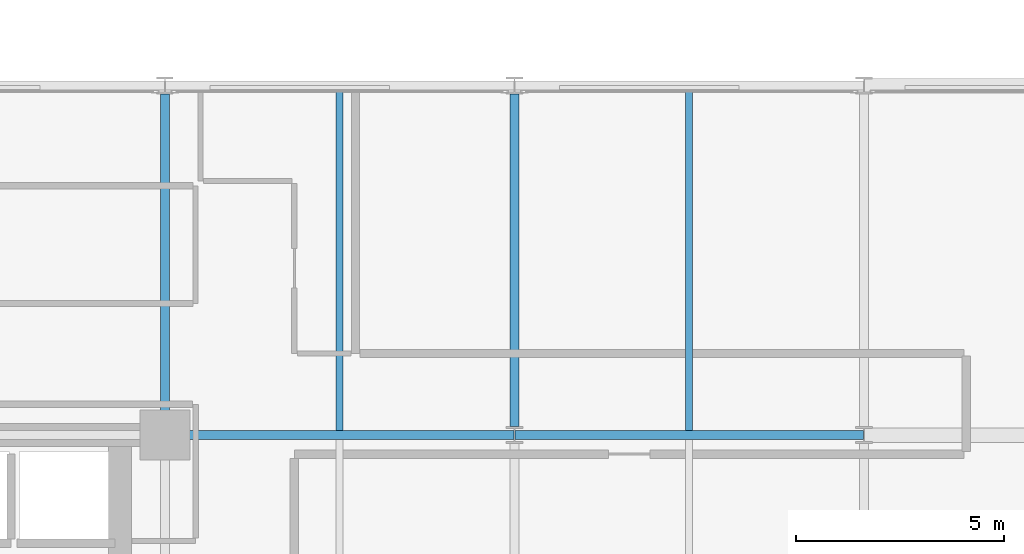
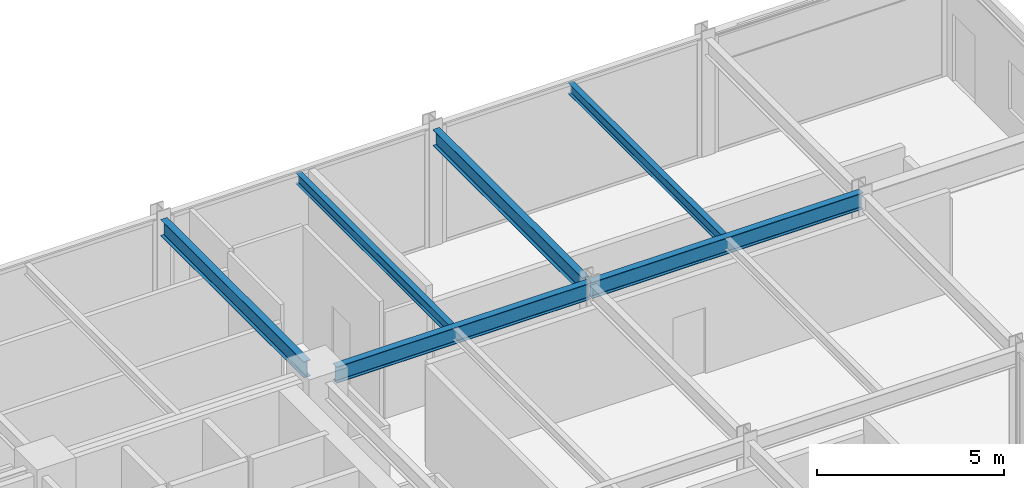
# One storey, part 19 of 38: 6 beams.
"""IFC4 building model written with IfcOpenShell, lengths in metres."""

from ifc_helpers import new_model, si_unit, direction, frame, origin, origin_2d, place, context, subcontext, project, spatial, i_section, extrude, material, material_profile, profile_set, type_object, element, save


model = new_model("IFC4")

# Units and contexts
model_context = context("Model", 3, precision=1e-05, world=origin(), true_north=direction((0.0, 1.0)))
body_context = subcontext(model_context, "Body", "Model", "MODEL_VIEW")
ifc_project = project(units=[si_unit("LENGTHUNIT", "METRE"), si_unit("AREAUNIT", "SQUARE_METRE"), si_unit("VOLUMEUNIT", "CUBIC_METRE"), si_unit("PLANEANGLEUNIT", "RADIAN"), si_unit("MASSUNIT", "GRAM", prefix="KILO")], contexts=[model_context])

# Site, building, storey
site_placement = place(None, origin())
site = spatial("IfcSite", under=ifc_project, at=site_placement, CompositionType="ELEMENT")
building_placement = place(site_placement, origin())
building = spatial("IfcBuilding", under=site, at=building_placement, Name="Nerrivon Quay Data Exchange", CompositionType="ELEMENT")
storey_placement = place(building_placement, frame((0.0, 0.0, 88.5)))
storey = spatial("IfcBuildingStorey", under=building, at=storey_placement, Name="L20", CompositionType="ELEMENT", Elevation=88.5)

# Beams
ifc_material = material(Name="Steel Grade 350", Category="steel")
ifc_material_profile_1 = material_profile(ifc_material, i_section(OverallWidth=0.208984375, OverallDepth=0.532958984375, WebThickness=0.01025390625, FlangeThickness=0.015625, FilletRadius=0.013916015625, at=origin_2d()), Name="530UB92.4")
ifc_profile_set_1 = profile_set([ifc_material_profile_1], Name="Steel Grade 350")
beam_type_1 = type_object("IfcBeamType", Name="BM-G3-530UB92", PredefinedType="BEAM", material=ifc_profile_set_1)
beam_1_placement = place(storey_placement, frame((34.139892578125, 16.800048828125, 3.55859375), z_axis=(1.0, 0.0, 0.0), x_axis=(0.0, 1.0, 0.0)))
element("IfcBeam", 1, at=beam_1_placement, inside=storey, type_object=beam_type_1, Name="L20 EW Girder Y=16.8 (33.6..42.0)", PredefinedType="BEAM", context=body_context, shape_type="SweptSolid", body=[
    extrude(i_section(OverallWidth=0.208984375, OverallDepth=0.532958984375, WebThickness=0.01025390625, FlangeThickness=0.015625, FilletRadius=0.013916015625, at=origin_2d()), origin(), (0.0, 0.0, 1.0), 7.84765625),
])
beam_2_placement = place(storey_placement, frame((42.012451171875, 16.800048828125, 3.55859375), z_axis=(1.0, 0.0, 0.0), x_axis=(0.0, 1.0, 0.0)))
element("IfcBeam", 2, at=beam_2_placement, inside=storey, type_object=beam_type_1, Name="L20 EW Girder Y=16.8 (42.0..50.4)", PredefinedType="BEAM", context=body_context, shape_type="SweptSolid", body=[
    extrude(i_section(OverallWidth=0.208984375, OverallDepth=0.532958984375, WebThickness=0.01025390625, FlangeThickness=0.015625, FilletRadius=0.013916015625, at=origin_2d()), origin(), (0.0, 0.0, 1.0), 8.375),
])
ifc_material_profile_2 = material_profile(ifc_material, i_section(OverallWidth=0.208984375, OverallDepth=0.528076171875, WebThickness=0.009521484375, FlangeThickness=0.01318359375, FilletRadius=0.013916015625, at=origin_2d()), Name="530UB82.0")
ifc_profile_set_2 = profile_set([ifc_material_profile_2], Name="Steel Grade 350")
beam_type_2 = type_object("IfcBeamType", Name="BM-G4-530UB82", PredefinedType="BEAM", material=ifc_profile_set_2)
beam_3_placement = place(storey_placement, frame((33.60009765625, 17.340087890625, 3.56103515625), z_axis=(0.0, 1.0, 0.0), x_axis=(-1.0, 0.0, 0.0)))
element("IfcBeam", 3, at=beam_3_placement, inside=storey, type_object=beam_type_2, Name="L20 NS Girder X=33.6 (16.8..25.2)", PredefinedType="BEAM", context=body_context, shape_type="SweptSolid", body=[
    extrude(i_section(OverallWidth=0.208984375, OverallDepth=0.528076171875, WebThickness=0.009521484375, FlangeThickness=0.01318359375, FilletRadius=0.013916015625, at=origin_2d()), origin(), (0.0, 0.0, 1.0), 7.659912109375),
])
beam_4_placement = place(storey_placement, frame((42.0, 17.0, 3.56103515625), z_axis=(0.0, 1.0, 0.0), x_axis=(-1.0, 0.0, 0.0)))
element("IfcBeam", 4, at=beam_4_placement, inside=storey, type_object=beam_type_2, Name="L20 NS Girder X=42.0 (16.8..25.2)", PredefinedType="BEAM", context=body_context, shape_type="SweptSolid", body=[
    extrude(i_section(OverallWidth=0.208984375, OverallDepth=0.528076171875, WebThickness=0.009521484375, FlangeThickness=0.01318359375, FilletRadius=0.013916015625, at=origin_2d()), origin(), (0.0, 0.0, 1.0), 8.0),
])
ifc_material_profile_3 = material_profile(ifc_material, i_section(OverallWidth=0.1708984375, OverallDepth=0.35595703125, WebThickness=0.00732421875, FlangeThickness=0.011474609375, FilletRadius=0.011474609375, at=origin_2d()), Name="360UB50.7")
ifc_profile_set_3 = profile_set([ifc_material_profile_3], Name="Steel Grade 350")
beam_type_3 = type_object("IfcBeamType", Name="BM-J4-360UB51", PredefinedType="JOIST", material=ifc_profile_set_3)
for number, where, z_axis, x_axis, name in (
    (5, (37.800048828125, 16.904541015625, 3.64697265625), (0.0, 1.0, 0.0), (-1.0, 0.0, 0.0), "L20 Secondary Joist X=37.8 (16.8..25.2)"),
    (6, (46.199951171875, 16.904541015625, 3.64697265625), (0.0, 1.0, 0.0), (-1.0, 0.0, 0.0), "L20 Secondary Joist X=46.2 (16.8..25.2)"),
):
    element("IfcBeam", number, at=place(storey_placement, frame(where, z_axis=z_axis, x_axis=x_axis)), inside=storey, type_object=beam_type_3, Name=name, PredefinedType="JOIST", context=body_context, shape_type="SweptSolid", body=[
        extrude(i_section(OverallWidth=0.1708984375, OverallDepth=0.35595703125, WebThickness=0.00732421875, FlangeThickness=0.011474609375, FilletRadius=0.011474609375, at=origin_2d()), origin(), (0.0, 0.0, 1.0), 8.19091796875),
    ])

save(model, "model.ifc")
